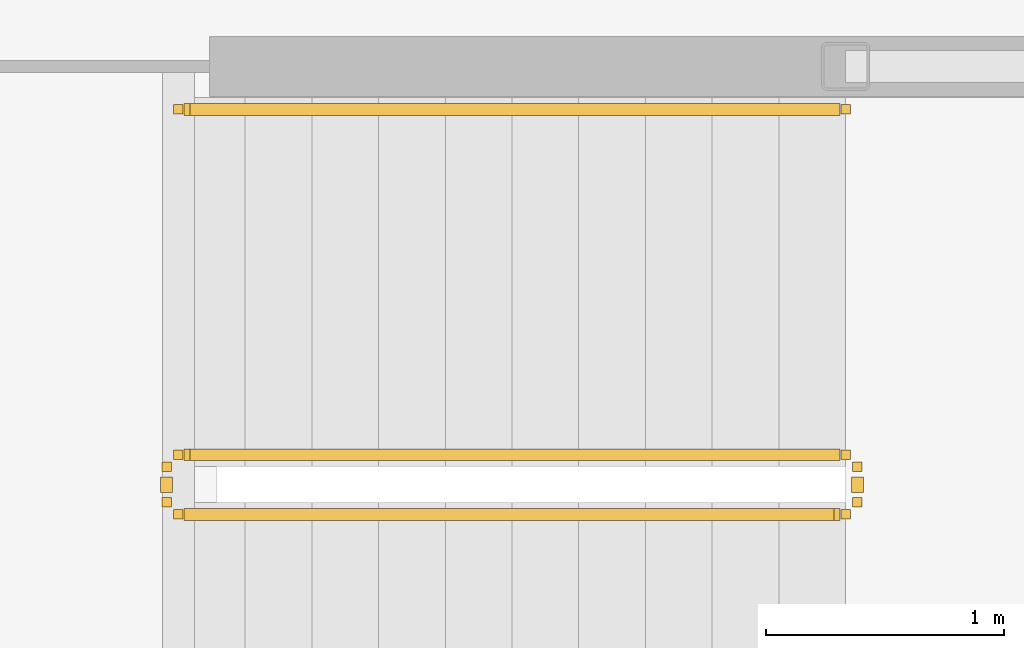
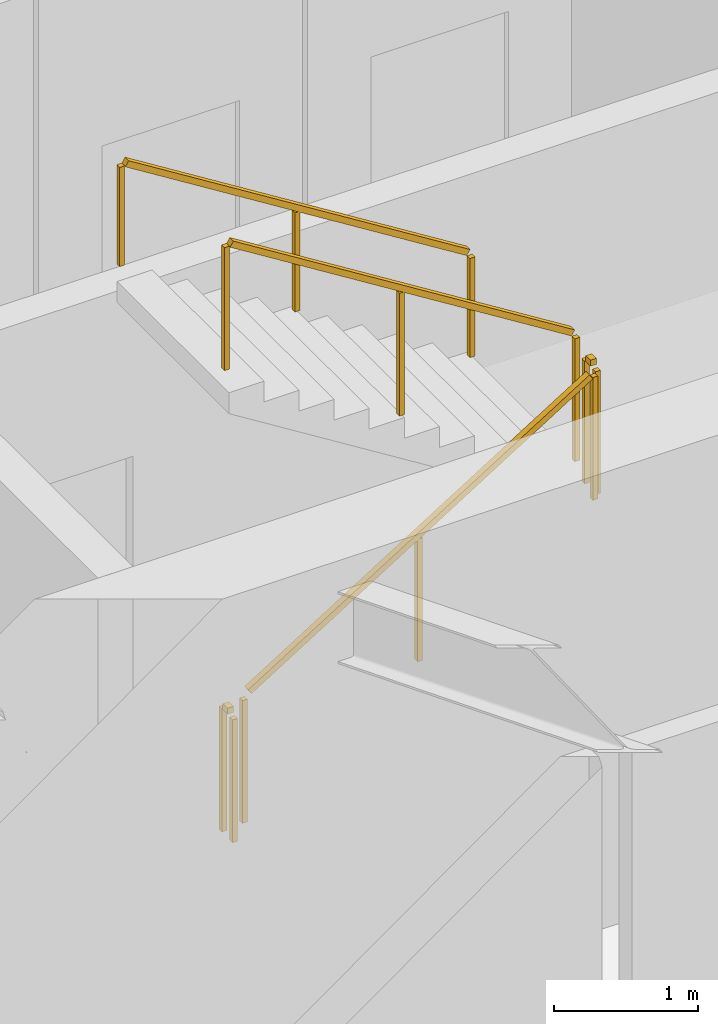
# One storey, part 27 of 30: 5 railings.
"""IFC4 building model written with IfcOpenShell, lengths in metres."""

from ifc_helpers import new_model, si_unit, direction, frame, origin, origin_2d, place, context, subcontext, project, spatial, rectangle, extrude, material, type_object, element, save


model = new_model("IFC4")

# Units and contexts
model_context = context("Model", 3, precision=1e-05, world=origin(), true_north=direction((0.0, 1.0)))
body_context = subcontext(model_context, "Body", "Model", "MODEL_VIEW")
ifc_project = project(units=[si_unit("LENGTHUNIT", "METRE"), si_unit("AREAUNIT", "SQUARE_METRE"), si_unit("VOLUMEUNIT", "CUBIC_METRE"), si_unit("PLANEANGLEUNIT", "RADIAN"), si_unit("MASSUNIT", "GRAM", prefix="KILO")], contexts=[model_context])

# Site, building, storey
site_placement = place(None, origin())
site = spatial("IfcSite", under=ifc_project, at=site_placement, CompositionType="ELEMENT")
building_placement = place(site_placement, origin())
building = spatial("IfcBuilding", under=site, at=building_placement, Name="Kazma Halo Residences", CompositionType="ELEMENT")
storey_placement = place(building_placement, frame((0.0, 0.0, 263.64990234375)))
storey = spatial("IfcBuildingStorey", under=building, at=storey_placement, Name="L66", CompositionType="ELEMENT", Elevation=263.64990234375)

# Railings
ifc_material_1 = material(Name="Painted Steel S355", Category="steel")
railing_type_1 = type_object("IfcRailingType", Name="RLG-STAIR-GRD-1100", PredefinedType="GUARDRAIL", material=ifc_material_1)
railing_1_placement = place(storey_placement, frame((53.199951171875, 35.5, 0.175048828125)))
element("IfcRailing", 1, at=railing_1_placement, inside=storey, type_object=railing_type_1, Name="L66 ST-03 stair guard 1", PredefinedType="GUARDRAIL", context=body_context, shape_type="SweptSolid", body=[
    extrude(rectangle(XDim=0.050048828125, YDim=0.050048828125, at=origin_2d()), frame((0.0361328125, 0.0, 1.09765625), z_axis=(0.848002457836, 0.0, 0.529992293815), x_axis=(0.0, 1.0, 0.0)), (0.0, 0.0, 1.0), 3.216796875),
    extrude(rectangle(XDim=0.0400390625, YDim=0.0400390625, at=origin_2d()), origin(), (0.0, 0.0, 1.0), 1.0380859375),
    extrude(rectangle(XDim=0.0400390625, YDim=0.0400390625, at=origin_2d()), frame((1.39990234375, 0.0, 0.875)), (0.0, 0.0, 1.0), 1.0380859375),
    extrude(rectangle(XDim=0.0400390625, YDim=0.0400390625, at=origin_2d()), frame((2.800048828125, 0.0, 1.75)), (0.0, 0.0, 1.0), 1.0380859375),
])
railing_2_placement = place(storey_placement, frame((56.050048828125, 35.550048828125, 1.925048828125)))
element("IfcRailing", 2, at=railing_2_placement, inside=storey, type_object=railing_type_1, Name="L66 ST-03 stair guard 2", PredefinedType="GUARDRAIL", context=body_context, shape_type="SweptSolid", body=[
    extrude(rectangle(XDim=0.050048828125, YDim=0.050048828125, at=origin_2d()), frame((0.0, 0.04248046875, 1.0751953125), z_axis=(0.0, 1.0, 0.0), x_axis=(-1.0, 0.0, 0.0)), (0.0, 0.0, 1.0), 0.06494140625),
    extrude(rectangle(XDim=0.0400390625, YDim=0.0400390625, at=origin_2d()), origin(), (0.0, 0.0, 1.0), 1.0380859375),
    extrude(rectangle(XDim=0.0400390625, YDim=0.0400390625, at=origin_2d()), frame((0.0, 0.14990234375, 0.0)), (0.0, 0.0, 1.0), 1.0380859375),
])
railing_3_placement = place(storey_placement, frame((56.0, 35.75, 2.10009765625)))
element("IfcRailing", 3, at=railing_3_placement, inside=storey, type_object=railing_type_1, Name="L66 ST-03 stair guard 3", PredefinedType="GUARDRAIL", context=body_context, shape_type="SweptSolid", body=[
    extrude(rectangle(XDim=0.050048828125, YDim=0.050048828125, at=origin_2d()), frame((-0.0361328125, 0.0, 1.09765625), z_axis=(-0.848002457836, 0.0, 0.529992293815), x_axis=(0.0, -1.0, 0.0)), (0.0, 0.0, 1.0), 3.216796875),
    extrude(rectangle(XDim=0.0400390625, YDim=0.0400390625, at=origin_2d()), origin(), (0.0, 0.0, 1.0), 1.0380859375),
    extrude(rectangle(XDim=0.0400390625, YDim=0.0400390625, at=origin_2d()), frame((-1.39990234375, 0.0, 0.875)), (0.0, 0.0, 1.0), 1.0380859375),
    extrude(rectangle(XDim=0.0400390625, YDim=0.0400390625, at=origin_2d()), frame((-2.800048828125, 0.0, 1.75)), (0.0, 0.0, 1.0), 1.0380859375),
])
railing_4_placement = place(storey_placement, frame((53.14990234375, 35.550048828125, 0.0)))
element("IfcRailing", 4, at=railing_4_placement, inside=storey, type_object=railing_type_1, Name="L66 ST-03 stair guard 4", PredefinedType="GUARDRAIL", context=body_context, shape_type="SweptSolid", body=[
    extrude(rectangle(XDim=0.050048828125, YDim=0.050048828125, at=origin_2d()), frame((0.0, 0.04248046875, 1.0751953125), z_axis=(0.0, 1.0, 0.0), x_axis=(-1.0, 0.0, 0.0)), (0.0, 0.0, 1.0), 0.06494140625),
    extrude(rectangle(XDim=0.0400390625, YDim=0.0400390625, at=origin_2d()), origin(), (0.0, 0.0, 1.0), 1.0380859375),
    extrude(rectangle(XDim=0.0400390625, YDim=0.0400390625, at=origin_2d()), frame((0.0, 0.14990234375, 0.0)), (0.0, 0.0, 1.0), 1.0380859375),
])
ifc_material_2 = material(Name="Brushed Stainless Steel", Category="steel")
railing_type_2 = type_object("IfcRailingType", Name="RLG-STAIR-HND-900", PredefinedType="HANDRAIL", material=ifc_material_2)
railing_5_placement = place(storey_placement, frame((56.0, 37.199951171875, 2.10009765625)))
element("IfcRailing", 5, at=railing_5_placement, inside=storey, type_object=railing_type_2, Name="L66 ST-03 stair handrail 2", PredefinedType="HANDRAIL", context=body_context, shape_type="SweptSolid", body=[
    extrude(rectangle(XDim=0.050048828125, YDim=0.050048828125, at=origin_2d()), frame((-0.0361328125, 0.0, 0.8974609375), z_axis=(-0.848002457836, 0.0, 0.529992293815), x_axis=(0.0, -1.0, 0.0)), (0.0, 0.0, 1.0), 3.216796875),
    extrude(rectangle(XDim=0.0400390625, YDim=0.0400390625, at=origin_2d()), origin(), (0.0, 0.0, 1.0), 0.837890625),
    extrude(rectangle(XDim=0.0400390625, YDim=0.0400390625, at=origin_2d()), frame((-1.39990234375, 0.0, 0.875)), (0.0, 0.0, 1.0), 0.837890625),
    extrude(rectangle(XDim=0.0400390625, YDim=0.0400390625, at=origin_2d()), frame((-2.800048828125, 0.0, 1.75)), (0.0, 0.0, 1.0), 0.837890625),
])

save(model, "model.ifc")
